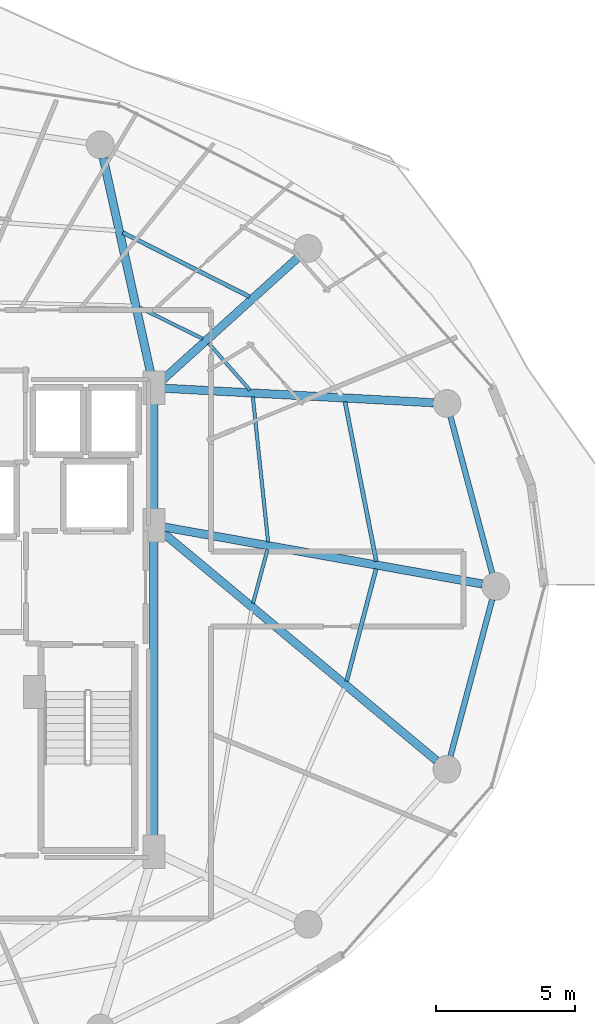
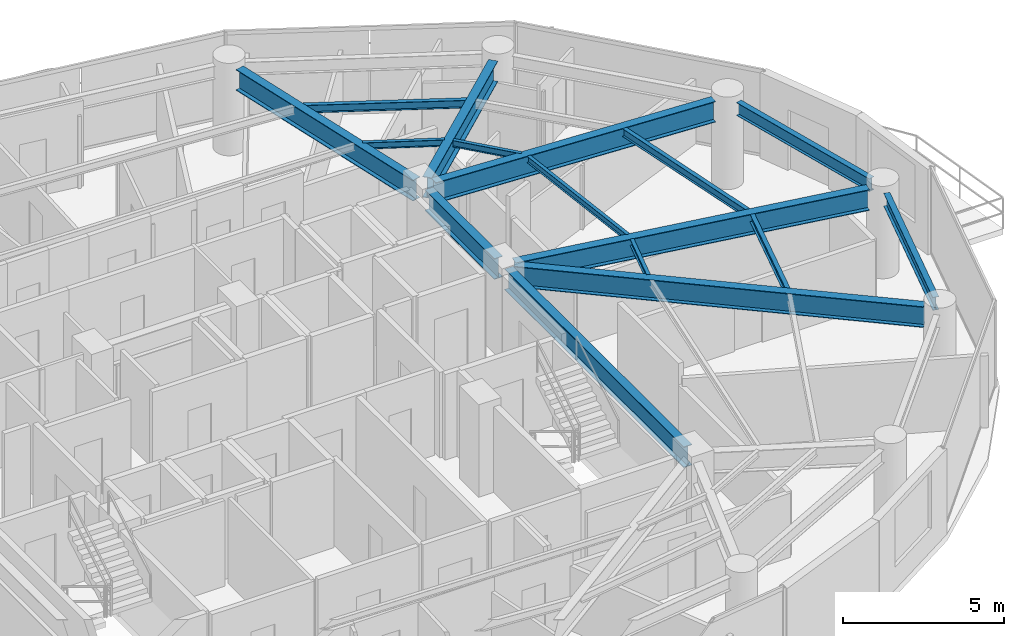
# One storey, part 12 of 28: 16 beams.
"""IFC4 building model written with IfcOpenShell, lengths in metres."""

from ifc_helpers import new_model, si_unit, direction, frame, origin, origin_2d, place, context, subcontext, project, spatial, i_section, extrude, material, material_profile, profile_set, type_object, element, save


model = new_model("IFC4")

# Units and contexts
model_context = context("Model", 3, precision=1e-05, world=origin(), true_north=direction((0.0, 1.0)))
body_context = subcontext(model_context, "Body", "Model", "MODEL_VIEW")
ifc_project = project(units=[si_unit("LENGTHUNIT", "METRE"), si_unit("AREAUNIT", "SQUARE_METRE"), si_unit("VOLUMEUNIT", "CUBIC_METRE"), si_unit("PLANEANGLEUNIT", "RADIAN"), si_unit("MASSUNIT", "GRAM", prefix="KILO")], contexts=[model_context])

# Site, building, storey
site_placement = place(None, origin())
site = spatial("IfcSite", under=ifc_project, at=site_placement, CompositionType="ELEMENT")
building_placement = place(site_placement, origin())
building = spatial("IfcBuilding", under=site, at=building_placement, Name="Vorneva Point Tower", CompositionType="ELEMENT")
storey_placement = place(building_placement, frame((0.0, 0.0, 146.60009765625)))
storey = spatial("IfcBuildingStorey", under=building, at=storey_placement, Name="L39", CompositionType="ELEMENT", Elevation=146.60009765625)

# Beams
ifc_material = material(Name="Steel S355", Category="steel")
ifc_material_profile_1 = material_profile(ifc_material, i_section(OverallWidth=0.300048828125, OverallDepth=0.7880859375, WebThickness=0.014404296875, FlangeThickness=0.02197265625, at=origin_2d()), Name="80Sh1")
ifc_profile_set_1 = profile_set([ifc_material_profile_1], Name="Steel S355")
beam_type_1 = type_object("IfcBeamType", Name="BM-GRD-80Sh1", PredefinedType="USERDEFINED", material=ifc_profile_set_1)
beam_1_placement = place(storey_placement, frame((60.569580078125, 26.0859375, 2.845947265625), z_axis=(-0.984378132756, 0.176067293249, 0.0), x_axis=(-0.176067293249, -0.984378132756, 0.0)))
element("IfcBeam", 1, at=beam_1_placement, inside=storey, type_object=beam_type_1, Name="L39 Radial Primary Girder 01", ObjectType="GIRDER", PredefinedType="USERDEFINED", context=body_context, shape_type="SweptSolid", body=[
    extrude(i_section(OverallWidth=0.300048828125, OverallDepth=0.7880859375, WebThickness=0.014404296875, FlangeThickness=0.02197265625, at=origin_2d()), origin(), (0.0, 0.0, 1.0), 11.667236328125),
])
beam_2_placement = place(storey_placement, frame((58.80810546875, 32.6083984375, 2.845947265625), z_axis=(-0.998554051908, 0.053756910424, 0.0), x_axis=(-0.053756910424, -0.998554051908, 0.0)))
element("IfcBeam", 2, at=beam_2_placement, inside=storey, type_object=beam_type_1, Name="L39 Radial Primary Girder 02", ObjectType="GIRDER", PredefinedType="USERDEFINED", context=body_context, shape_type="SweptSolid", body=[
    extrude(i_section(OverallWidth=0.300048828125, OverallDepth=0.7880859375, WebThickness=0.014404296875, FlangeThickness=0.02197265625, at=origin_2d()), origin(), (0.0, 0.0, 1.0), 9.732666015625),
])
beam_3_placement = place(storey_placement, frame((53.936767578125, 37.835205078125, 2.845947265625), z_axis=(-0.742084379637, -0.670306477292, 0.0), x_axis=(0.670306477292, -0.742084379637, 0.0)))
element("IfcBeam", 3, at=beam_3_placement, inside=storey, type_object=beam_type_1, Name="L39 Radial Primary Girder 03", ObjectType="GIRDER", PredefinedType="USERDEFINED", context=body_context, shape_type="SweptSolid", body=[
    extrude(i_section(OverallWidth=0.300048828125, OverallDepth=0.7880859375, WebThickness=0.014404296875, FlangeThickness=0.02197265625, at=origin_2d()), origin(), (0.0, 0.0, 1.0), 6.649658203125),
])
beam_4_placement = place(storey_placement, frame((46.926025390625, 41.414306640625, 2.845947265625), z_axis=(0.215520500859, -0.976499315775, 0.0), x_axis=(0.976499315775, 0.215520500859, 0.0)))
element("IfcBeam", 4, at=beam_4_placement, inside=storey, type_object=beam_type_1, Name="L39 Radial Primary Girder 04", ObjectType="GIRDER", PredefinedType="USERDEFINED", context=body_context, shape_type="SweptSolid", body=[
    extrude(i_section(OverallWidth=0.300048828125, OverallDepth=0.7880859375, WebThickness=0.014404296875, FlangeThickness=0.02197265625, at=origin_2d()), origin(), (0.0, 0.0, 1.0), 8.123291015625),
])
beam_5_placement = place(storey_placement, frame((58.92041015625, 19.72998046875, 2.845947265625), z_axis=(-0.76841987547, 0.639946009428, 0.0), x_axis=(-0.639946009428, -0.76841987547, 0.0)))
element("IfcBeam", 5, at=beam_5_placement, inside=storey, type_object=beam_type_1, Name="L39 Radial Primary Girder 16", ObjectType="GIRDER", PredefinedType="USERDEFINED", context=body_context, shape_type="SweptSolid", body=[
    extrude(i_section(OverallWidth=0.300048828125, OverallDepth=0.7880859375, WebThickness=0.014404296875, FlangeThickness=0.02197265625, at=origin_2d()), origin(), (0.0, 0.0, 1.0), 12.8955078125),
])
beam_6_placement = place(storey_placement, frame((48.75, 16.77001953125, 2.845947265625), z_axis=(0.0, 1.0, 0.0), x_axis=(-1.0, 0.0, 0.0)))
element("IfcBeam", 6, at=beam_6_placement, inside=storey, type_object=beam_type_1, Name="L39 Core Tie Girder CT3", ObjectType="GIRDER", PredefinedType="USERDEFINED", context=body_context, shape_type="SweptSolid", body=[
    extrude(i_section(OverallWidth=0.300048828125, OverallDepth=0.7880859375, WebThickness=0.014404296875, FlangeThickness=0.02197265625, at=origin_2d()), origin(), (0.0, 0.0, 1.0), 11.10986328125),
])
beam_7_placement = place(storey_placement, frame((48.75, 28.52001953125, 2.845947265625), z_axis=(0.0, 1.0, 0.0), x_axis=(-1.0, 0.0, 0.0)))
element("IfcBeam", 7, at=beam_7_placement, inside=storey, type_object=beam_type_1, Name="L39 Core Tie Girder CT4", ObjectType="GIRDER", PredefinedType="USERDEFINED", context=body_context, shape_type="SweptSolid", body=[
    extrude(i_section(OverallWidth=0.300048828125, OverallDepth=0.7880859375, WebThickness=0.014404296875, FlangeThickness=0.02197265625, at=origin_2d()), origin(), (0.0, 0.0, 1.0), 4.31005859375),
])
ifc_material_profile_2 = material_profile(ifc_material, i_section(OverallWidth=0.1240234375, OverallDepth=0.248046875, WebThickness=0.0048828125, FlangeThickness=0.008056640625, at=origin_2d()), Name="25B1")
ifc_profile_set_2 = profile_set([ifc_material_profile_2], Name="Steel S355")
beam_type_2 = type_object("IfcBeamType", Name="BM-JST-25B1", PredefinedType="JOIST", material=ifc_profile_set_2)
beam_8_placement = place(storey_placement, frame((52.8603515625, 27.599609375, 3.115966796875), z_axis=(-0.104612176701, 0.99451309317, 0.0), x_axis=(-0.99451309317, -0.104612176701, 0.0)))
element("IfcBeam", 8, at=beam_8_placement, inside=storey, type_object=beam_type_2, Name="L39 Secondary Floor Beam 2.01", PredefinedType="JOIST", context=body_context, shape_type="SweptSolid", body=[
    extrude(i_section(OverallWidth=0.1240234375, OverallDepth=0.248046875, WebThickness=0.0048828125, FlangeThickness=0.008056640625, at=origin_2d()), origin(), (0.0, 0.0, 1.0), 5.2509765625),
])
beam_9_placement = place(storey_placement, frame((52.205322265625, 33.0625, 3.115966796875), z_axis=(-0.661250814478, 0.750164888776, 0.0), x_axis=(-0.750164888776, -0.661250814478, 0.0)))
element("IfcBeam", 9, at=beam_9_placement, inside=storey, type_object=beam_type_2, Name="L39 Secondary Floor Beam 2.02", PredefinedType="JOIST", context=body_context, shape_type="SweptSolid", body=[
    extrude(i_section(OverallWidth=0.1240234375, OverallDepth=0.248046875, WebThickness=0.0048828125, FlangeThickness=0.008056640625, at=origin_2d()), origin(), (0.0, 0.0, 1.0), 2.243408203125),
])
beam_10_placement = place(storey_placement, frame((50.5068359375, 34.909912109375, 3.115966796875), z_axis=(-0.896525372152, 0.442992389425, 0.0), x_axis=(-0.442992389425, -0.896525372152, 0.0)))
element("IfcBeam", 10, at=beam_10_placement, inside=storey, type_object=beam_type_2, Name="L39 Secondary Floor Beam 2.03", PredefinedType="JOIST", context=body_context, shape_type="SweptSolid", body=[
    extrude(i_section(OverallWidth=0.1240234375, OverallDepth=0.248046875, WebThickness=0.0048828125, FlangeThickness=0.008056640625, at=origin_2d()), origin(), (0.0, 0.0, 1.0), 2.5478515625),
])
beam_11_placement = place(storey_placement, frame((52.317138671875, 25.392333984375, 3.115966796875), z_axis=(0.260108786392, 0.965579317944, 0.0), x_axis=(-0.965579317944, 0.260108786392, 0.0)))
element("IfcBeam", 11, at=beam_11_placement, inside=storey, type_object=beam_type_2, Name="L39 Secondary Floor Beam 2.16", PredefinedType="JOIST", context=body_context, shape_type="SweptSolid", body=[
    extrude(i_section(OverallWidth=0.1240234375, OverallDepth=0.248046875, WebThickness=0.0048828125, FlangeThickness=0.008056640625, at=origin_2d()), origin(), (0.0, 0.0, 1.0), 2.005859375),
])
ifc_material_profile_3 = material_profile(ifc_material, i_section(OverallWidth=0.14892578125, OverallDepth=0.298095703125, WebThickness=0.005615234375, FlangeThickness=0.008056640625, at=origin_2d()), Name="30B1")
ifc_profile_set_3 = profile_set([ifc_material_profile_3], Name="Steel S355")
beam_type_3 = type_object("IfcBeamType", Name="BM-JST-30B1", PredefinedType="JOIST", material=ifc_profile_set_3)
beam_12_placement = place(storey_placement, frame((56.753173828125, 26.899169921875, 3.0908203125), z_axis=(-0.192242055479, 0.9813475389, 0.0), x_axis=(-0.9813475389, -0.192242055479, 0.0)))
element("IfcBeam", 12, at=beam_12_placement, inside=storey, type_object=beam_type_3, Name="L39 Secondary Floor Beam 1.01", PredefinedType="JOIST", context=body_context, shape_type="SweptSolid", body=[
    extrude(i_section(OverallWidth=0.14892578125, OverallDepth=0.298095703125, WebThickness=0.005615234375, FlangeThickness=0.008056640625, at=origin_2d()), origin(), (0.0, 0.0, 1.0), 5.855712890625),
])
beam_13_placement = place(storey_placement, frame((52.185302734375, 36.426513671875, 3.0908203125), z_axis=(-0.892189333363, 0.451661591717, 0.0), x_axis=(-0.451661591717, -0.892189333363, 0.0)))
element("IfcBeam", 13, at=beam_13_placement, inside=storey, type_object=beam_type_3, Name="L39 Secondary Floor Beam 1.03", PredefinedType="JOIST", context=body_context, shape_type="SweptSolid", body=[
    extrude(i_section(OverallWidth=0.14892578125, OverallDepth=0.298095703125, WebThickness=0.005615234375, FlangeThickness=0.008056640625, at=origin_2d()), origin(), (0.0, 0.0, 1.0), 5.109130859375),
])
beam_14_placement = place(storey_placement, frame((55.685302734375, 22.5869140625, 3.0908203125), z_axis=(0.253432269417, 0.967353133462, 0.0), x_axis=(-0.967353133462, 0.253432269417, 0.0)))
element("IfcBeam", 14, at=beam_14_placement, inside=storey, type_object=beam_type_3, Name="L39 Secondary Floor Beam 1.16", PredefinedType="JOIST", context=body_context, shape_type="SweptSolid", body=[
    extrude(i_section(OverallWidth=0.14892578125, OverallDepth=0.298095703125, WebThickness=0.005615234375, FlangeThickness=0.008056640625, at=origin_2d()), origin(), (0.0, 0.0, 1.0), 4.179931640625),
])
ifc_material_profile_4 = material_profile(ifc_material, i_section(OverallWidth=0.199951171875, OverallDepth=0.491943359375, WebThickness=0.0087890625, FlangeThickness=0.011962890625, at=origin_2d()), Name="50B1")
ifc_profile_set_4 = profile_set([ifc_material_profile_4], Name="Steel S355")
beam_type_4 = type_object("IfcBeamType", Name="BM-SPN-50B1", PredefinedType="SPANDREL", material=ifc_profile_set_4)
for number, where, z_axis, x_axis, name in (
    (15, (60.925048828125, 26.468505859375, 2.993896484375), (-0.257550804648, 0.966264758245, 0.0), (-0.966264758245, -0.257550804648, 0.0), "L39 Perimeter Spandrel Ring Beam 01"),
    (16, (59.42041015625, 19.886474609375, 2.993896484375), (0.257550804648, 0.966264758245, 0.0), (-0.966264758245, 0.257550804648, 0.0), "L39 Perimeter Spandrel Ring Beam 16"),
):
    element("IfcBeam", number, at=place(storey_placement, frame(where, z_axis=z_axis, x_axis=x_axis)), inside=storey, type_object=beam_type_4, Name=name, PredefinedType="SPANDREL", context=body_context, shape_type="SweptSolid", body=[
        extrude(i_section(OverallWidth=0.199951171875, OverallDepth=0.491943359375, WebThickness=0.0087890625, FlangeThickness=0.011962890625, at=origin_2d()), origin(), (0.0, 0.0, 1.0), 5.842041015625),
    ])

save(model, "model.ifc")
